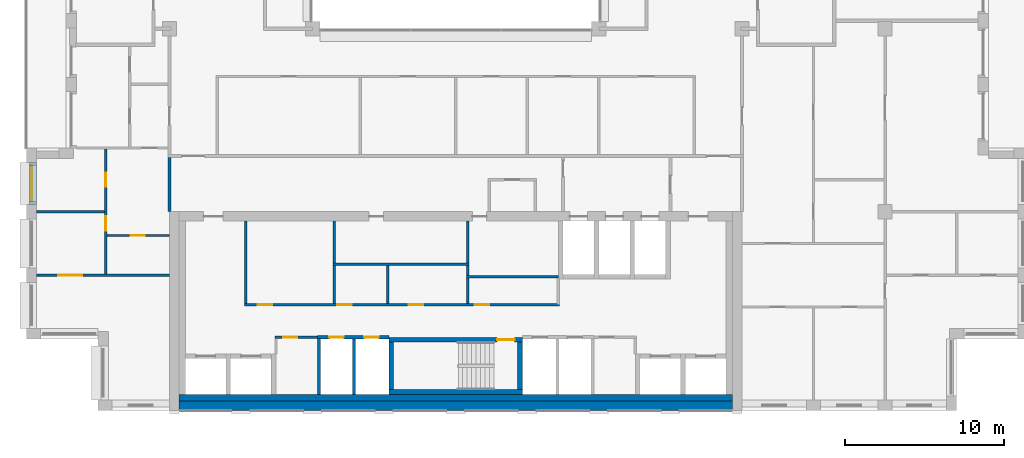
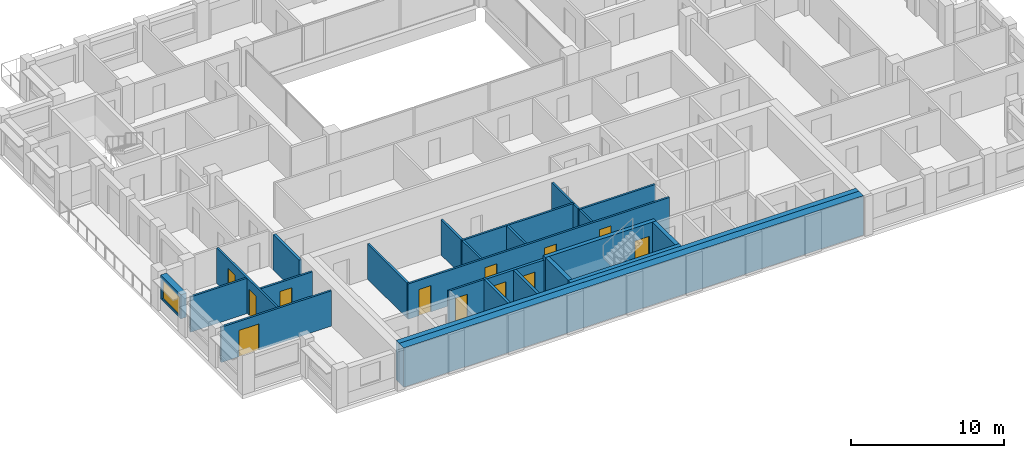
# One storey, part 8 of 15: 26 walls, 12 doors, 1 window, 13 openings.
"""IFC4 building model written with IfcOpenShell, lengths in metres."""

from ifc_helpers import new_model, si_unit, direction, frame, frame_2d, origin, place, context, subcontext, project, spatial, rectangle, extrude, material, layer, layer_set, type_object, element, fill, save


model = new_model("IFC4")

# Units and contexts
model_context = context("Model", 3, precision=1e-05, world=origin(), true_north=direction((0.0, 1.0)))
body_context = subcontext(model_context, "Body", "Model", "MODEL_VIEW")
ifc_project = project(units=[si_unit("LENGTHUNIT", "METRE"), si_unit("AREAUNIT", "SQUARE_METRE"), si_unit("VOLUMEUNIT", "CUBIC_METRE"), si_unit("PLANEANGLEUNIT", "RADIAN"), si_unit("MASSUNIT", "GRAM", prefix="KILO")], contexts=[model_context])

# Site, building, storey
site_placement = place(None, origin())
site = spatial("IfcSite", under=ifc_project, at=site_placement, CompositionType="ELEMENT")
building_placement = place(site_placement, origin())
building = spatial("IfcBuilding", under=site, at=building_placement, Name="Brigalow Station Residences", CompositionType="ELEMENT")
storey_placement = place(building_placement, frame((0.0, 0.0, 223.199951171875)))
storey = spatial("IfcBuildingStorey", under=building, at=storey_placement, Name="L64", CompositionType="ELEMENT", Elevation=223.199951171875)

# Wall, opening, window
ifc_material_1 = material(Name="Clay brick masonry", Category="masonry")
ifc_layer_1 = layer(ifc_material_1, 0.449951171875)
ifc_layer_set_1 = layer_set([ifc_layer_1], Name="BRICK INFILL WALL 450")
wall_type_1 = type_object("IfcWallType", Name="BRICK INFILL WALL 450", PredefinedType="SOLIDWALL", material=ifc_layer_set_1)
wall_1_placement = place(storey_placement, frame((9.425048828125, 15.60009765625, 0.900146484375), z_axis=(0.0, 0.0, 1.0), x_axis=(0.0, -1.0, 0.0)))
wall_1 = element("IfcWall", 1, at=wall_1_placement, inside=storey, type_object=wall_type_1, Name="L64/ewall/W-L64-41", PredefinedType="SOLIDWALL", context=body_context, shape_type="SweptSolid", body=[
    extrude(rectangle(XDim=2.650146484375, YDim=0.449951171875, at=frame_2d((1.3251953125, 0.0))), origin(), (0.0, 0.0, 1.0), 1.929931640625),
])
opening_1_placement = place(wall_1_placement, frame((0.199951171875, 0.0, 0.14990234375)))
opening_1 = element("IfcOpeningElement", 2, at=opening_1_placement, cuts=wall_1, Name="Opening WT-6", PredefinedType="OPENING", context=body_context, shape_type="SweptSolid", body=[
    extrude(rectangle(XDim=2.25, YDim=1.5, at=frame_2d((1.125, 0.75))), frame((0.0, 0.23486328125, 0.0), z_axis=(0.0, -1.0, 0.0), x_axis=(1.0, 0.0, 0.0)), (0.0, 0.0, 1.0), 0.469970703125),
])
ifc_material_2 = material(Name="Anodised aluminium frame with double glazing", Category="aluminium")
window_type = type_object("IfcWindowType", Name="WINDOW 2250x1500", PartitioningType="SINGLE_PANEL", PredefinedType="WINDOW", material=ifc_material_2)
window_placement = place(opening_1_placement, origin())
window = element("IfcWindow", 3, at=window_placement, inside=storey, type_object=window_type, Name="L64/window/W-L64-41", OverallHeight=1.5, OverallWidth=2.25, PartitioningType="SINGLE_PANEL", PredefinedType="WINDOW", context=body_context, shape_type="SweptSolid", body=[
    extrude(rectangle(XDim=2.25, YDim=1.5, at=frame_2d((1.125, 0.75))), frame((0.0, -0.06494140625, 0.0), z_axis=(0.0, -1.0, 0.0), x_axis=(1.0, 0.0, 0.0)), (0.0, 0.0, 1.0), 0.06005859375),
])
fill(opening_1, window)

# Wall
ifc_material_3 = material(Name="Concrete C50", Category="concrete")
ifc_layer_2 = layer(ifc_material_3, 0.300048828125)
ifc_layer_set_2 = layer_set([ifc_layer_2], Name="CORE SHEAR WALL 300 C50")
wall_type_2 = type_object("IfcWallType", Name="CORE SHEAR WALL 300 C50", PredefinedType="SHEAR", material=ifc_layer_set_2)
wall_2_placement = place(storey_placement, frame((31.800048828125, 1.14990234375, 0.0), z_axis=(0.0, 0.0, 1.0), x_axis=(1.0, 0.0, 0.0)))
element("IfcWall", 4, at=wall_2_placement, inside=storey, type_object=wall_type_2, Name="CORE WALL ST-S2-S L64", PredefinedType="SHEAR", context=body_context, shape_type="SweptSolid", body=[
    extrude(rectangle(XDim=8.39990234375, YDim=0.300048828125, at=frame_2d((4.199951171875, 0.0))), origin(), (0.0, 0.0, 1.0), 3.150146484375),
])

# Wall, opening, door
wall_3_placement = place(storey_placement, frame((31.800048828125, 4.449951171875, 0.0), z_axis=(0.0, 0.0, 1.0), x_axis=(1.0, 0.0, 0.0)))
wall_3 = element("IfcWall", 5, at=wall_3_placement, inside=storey, type_object=wall_type_2, Name="CORE WALL ST-S2-N L64", PredefinedType="SHEAR", context=body_context, shape_type="SweptSolid", body=[
    extrude(rectangle(XDim=8.39990234375, YDim=0.300048828125, at=frame_2d((4.199951171875, 0.0))), origin(), (0.0, 0.0, 1.0), 3.150146484375),
])
opening_2_placement = place(wall_3_placement, frame((6.800048828125, 0.0, 0.0)))
opening_2 = element("IfcOpeningElement", 6, at=opening_2_placement, cuts=wall_3, Name="Opening D-5001", PredefinedType="OPENING", context=body_context, shape_type="SweptSolid", body=[
    extrude(rectangle(XDim=1.10009765625, YDim=2.10009765625, at=frame_2d((0.550048828125, 1.050048828125))), frame((0.0, 0.16015625, 0.0), z_axis=(0.0, -1.0, 0.0), x_axis=(1.0, 0.0, 0.0)), (0.0, 0.0, 1.0), 0.320068359375),
])
ifc_material_4 = material(Name="Steel fire door leaf in steel frame", Category="steel")
door_type_1 = type_object("IfcDoorType", Name="STAIR DOOR 1100 x 2100 FD60S", OperationType="SINGLE_SWING_LEFT", PredefinedType="DOOR", material=ifc_material_4)
door_1_placement = place(opening_2_placement, frame((1.10009765625, 0.0, 0.0), z_axis=(0.0, 0.0, 1.0), x_axis=(-1.0, 0.0, 0.0)))
door_1 = element("IfcDoor", 7, at=door_1_placement, inside=storey, type_object=door_type_1, Name="D-5001", OperationType="SINGLE_SWING_LEFT", OverallHeight=2.10009765625, OverallWidth=1.10009765625, PredefinedType="DOOR", context=body_context, shape_type="SweptSolid", body=[
    extrude(rectangle(XDim=1.10009765625, YDim=2.10009765625, at=frame_2d((0.550048828125, 1.050048828125))), frame((0.0, 0.02490234375, 0.0), z_axis=(0.0, -1.0, 0.0), x_axis=(1.0, 0.0, 0.0)), (0.0, 0.0, 1.0), 0.050048828125),
])
fill(opening_2, door_1)

# Walls
for number, where, z_axis, x_axis, name in (
    (8, (31.949951171875, 1.300048828125, 0.0), (0.0, 0.0, 1.0), (0.0, 1.0, 0.0), "CORE WALL ST-S2-W L64"),
    (9, (40.050048828125, 1.300048828125, 0.0), (0.0, 0.0, 1.0), (0.0, 1.0, 0.0), "CORE WALL ST-S2-E L64"),
):
    element("IfcWall", number, at=place(storey_placement, frame(where, z_axis=z_axis, x_axis=x_axis)), inside=storey, type_object=wall_type_2, Name=name, PredefinedType="SHEAR", context=body_context, shape_type="SweptSolid", body=[
        extrude(rectangle(XDim=3.0, YDim=0.300048828125, at=frame_2d((1.5, 0.0))), origin(), (0.0, 0.0, 1.0), 3.150146484375),
    ])
ifc_material_5 = material(Name="Concrete C50", Category="concrete")
ifc_layer_3 = layer(ifc_material_5, 0.39990234375)
ifc_layer_set_3 = layer_set([ifc_layer_3], Name="CORE SHEAR WALL 400 C50")
wall_type_3 = type_object("IfcWallType", Name="CORE SHEAR WALL 400 C50", PredefinedType="SHEAR", material=ifc_layer_set_3)
wall_4_placement = place(storey_placement, frame((18.60009765625, 0.800048828125, 0.0), z_axis=(0.0, 0.0, 1.0), x_axis=(1.0, 0.0, 0.0)))
element("IfcWall", 10, at=wall_4_placement, inside=storey, type_object=wall_type_3, Name="CORE WALL LIN-S L64", PredefinedType="SHEAR", context=body_context, shape_type="SweptSolid", body=[
    extrude(rectangle(XDim=34.7998046875, YDim=0.39990234375, at=frame_2d((17.39990234375, 0.0))), origin(), (0.0, 0.0, 1.0), 3.150146484375),
])
ifc_material_6 = material(Name="Concrete C50", Category="concrete")
ifc_layer_4 = layer(ifc_material_6, 0.60009765625)
ifc_layer_set_4 = layer_set([ifc_layer_4], Name="CORE SHEAR WALL 600 C50")
wall_type_4 = type_object("IfcWallType", Name="CORE SHEAR WALL 600 C50", PredefinedType="SHEAR", material=ifc_layer_set_4)
wall_5_placement = place(storey_placement, frame((18.60009765625, 0.300048828125, 0.0), z_axis=(0.0, 0.0, 1.0), x_axis=(1.0, 0.0, 0.0)))
element("IfcWall", 11, at=wall_5_placement, inside=storey, type_object=wall_type_4, Name="CORE WALL OUT-S L64", PredefinedType="SHEAR", context=body_context, shape_type="SweptSolid", body=[
    extrude(rectangle(XDim=34.7998046875, YDim=0.60009765625, at=frame_2d((17.39990234375, 0.0))), origin(), (0.0, 0.0, 1.0), 3.150146484375),
])

# Wall, openings, doors
ifc_material_7 = material(Name="Concrete blockwork", Category="masonry")
ifc_layer_5 = layer(ifc_material_7, 0.199951171875)
ifc_layer_set_5 = layer_set([ifc_layer_5], Name="FIRE RATED CORE PARTITION 200")
wall_type_5 = type_object("IfcWallType", Name="FIRE RATED CORE PARTITION 200", PredefinedType="PARTITIONING", material=ifc_layer_set_5)
wall_6_placement = place(storey_placement, frame((27.300048828125, 4.60009765625, 0.0), z_axis=(0.0, 0.0, 1.0), x_axis=(1.0, 0.0, 0.0)))
wall_6 = element("IfcWall", 12, at=wall_6_placement, inside=storey, type_object=wall_type_5, Name="PW-5017", PredefinedType="PARTITIONING", context=body_context, shape_type="SweptSolid", body=[
    extrude(rectangle(XDim=4.5, YDim=0.199951171875, at=frame_2d((2.25, 0.0))), origin(), (0.0, 0.0, 1.0), 2.830078125),
])
opening_3_placement = place(wall_6_placement, frame((0.75, 0.0, 0.0)))
opening_3 = element("IfcOpeningElement", 13, at=opening_3_placement, cuts=wall_6, Name="Opening D-5007", PredefinedType="OPENING", context=body_context, shape_type="SweptSolid", body=[
    extrude(rectangle(XDim=0.89990234375, YDim=2.10009765625, at=frame_2d((0.449951171875, 1.050048828125))), frame((0.0, 0.10986328125, 0.0), z_axis=(0.0, -1.0, 0.0), x_axis=(1.0, 0.0, 0.0)), (0.0, 0.0, 1.0), 0.219970703125),
])
opening_4_placement = place(wall_6_placement, frame((2.949951171875, 0.0, 0.0)))
opening_4 = element("IfcOpeningElement", 14, at=opening_4_placement, cuts=wall_6, Name="Opening D-5008", PredefinedType="OPENING", context=body_context, shape_type="SweptSolid", body=[
    extrude(rectangle(XDim=0.89990234375, YDim=2.10009765625, at=frame_2d((0.449951171875, 1.050048828125))), frame((0.0, 0.10986328125, 0.0), z_axis=(0.0, -1.0, 0.0), x_axis=(1.0, 0.0, 0.0)), (0.0, 0.0, 1.0), 0.219970703125),
])
ifc_material_8 = material(Name="Steel fire door leaf in steel frame", Category="steel")
door_type_2 = type_object("IfcDoorType", Name="RISER ACCESS DOOR 900 x 2100 FD120", OperationType="SINGLE_SWING_LEFT", PredefinedType="DOOR", material=ifc_material_8)
door_2_placement = place(opening_3_placement, frame((0.89990234375, 0.0, 0.0), z_axis=(0.0, 0.0, 1.0), x_axis=(-1.0, 0.0, 0.0)))
door_2 = element("IfcDoor", 15, at=door_2_placement, inside=storey, type_object=door_type_2, Name="D-5007", OperationType="SINGLE_SWING_RIGHT", OverallHeight=2.10009765625, OverallWidth=0.89990234375, PredefinedType="DOOR", context=body_context, shape_type="SweptSolid", body=[
    extrude(rectangle(XDim=0.89990234375, YDim=2.10009765625, at=frame_2d((0.449951171875, 1.050048828125))), frame((0.0, 0.02490234375, 0.0), z_axis=(0.0, -1.0, 0.0), x_axis=(1.0, 0.0, 0.0)), (0.0, 0.0, 1.0), 0.050048828125),
])
fill(opening_3, door_2)
door_3_placement = place(opening_4_placement, frame((0.89990234375, 0.0, 0.0), z_axis=(0.0, 0.0, 1.0), x_axis=(-1.0, 0.0, 0.0)))
door_3 = element("IfcDoor", 16, at=door_3_placement, inside=storey, type_object=door_type_2, Name="D-5008", OperationType="SINGLE_SWING_RIGHT", OverallHeight=2.10009765625, OverallWidth=0.89990234375, PredefinedType="DOOR", context=body_context, shape_type="SweptSolid", body=[
    extrude(rectangle(XDim=0.89990234375, YDim=2.10009765625, at=frame_2d((0.449951171875, 1.050048828125))), frame((0.0, 0.02490234375, 0.0), z_axis=(0.0, -1.0, 0.0), x_axis=(1.0, 0.0, 0.0)), (0.0, 0.0, 1.0), 0.050048828125),
])
fill(opening_4, door_3)

# Walls
wall_7_placement = place(storey_placement, frame((27.39990234375, 1.0, 0.0), z_axis=(0.0, 0.0, 1.0), x_axis=(0.0, 1.0, 0.0)))
element("IfcWall", 17, at=wall_7_placement, inside=storey, type_object=wall_type_5, Name="PW-5027", PredefinedType="PARTITIONING", context=body_context, shape_type="SweptSolid", body=[
    extrude(rectangle(XDim=3.52490234375, YDim=0.199951171875, at=frame_2d((1.762451171875, 0.0))), origin(), (0.0, 0.0, 1.0), 2.830078125),
])
wall_8_placement = place(storey_placement, frame((29.60009765625, 1.0, 0.0), z_axis=(0.0, 0.0, 1.0), x_axis=(0.0, 1.0, 0.0)))
element("IfcWall", 18, at=wall_8_placement, inside=storey, type_object=wall_type_5, Name="PW-5006", PredefinedType="PARTITIONING", context=body_context, shape_type="SweptSolid", body=[
    extrude(rectangle(XDim=3.5, YDim=0.199951171875, at=frame_2d((1.75, 0.0))), origin(), (0.0, 0.0, 1.0), 2.830078125),
])
wall_9_placement = place(storey_placement, frame((18.0, 12.5, 0.0), z_axis=(0.0, 0.0, 1.0), x_axis=(0.0, 1.0, 0.0)))
element("IfcWall", 19, at=wall_9_placement, inside=storey, type_object=wall_type_5, Name="PW-5013", PredefinedType="PARTITIONING", context=body_context, shape_type="SweptSolid", body=[
    extrude(rectangle(XDim=3.39990234375, YDim=0.199951171875, at=frame_2d((1.699951171875, 0.0))), origin(), (0.0, 0.0, 1.0), 2.830078125),
])

# Wall, opening, door
ifc_material_9 = material(Name="Plasterboard on steel stud partition", Category="steel")
ifc_layer_6 = layer(ifc_material_9, 0.14990234375)
ifc_layer_set_6 = layer_set([ifc_layer_6], Name="FLAT PARTITION 150")
wall_type_6 = type_object("IfcWallType", Name="FLAT PARTITION 150", PredefinedType="PARTITIONING", material=ifc_layer_set_6)
wall_10_placement = place(storey_placement, frame((14.074951171875, 11.0, 0.0), z_axis=(0.0, 0.0, 1.0), x_axis=(1.0, 0.0, 0.0)))
wall_10 = element("IfcWall", 20, at=wall_10_placement, inside=storey, type_object=wall_type_6, Name="PW-4D10", PredefinedType="PARTITIONING", context=body_context, shape_type="SweptSolid", body=[
    extrude(rectangle(XDim=3.925048828125, YDim=0.14990234375, at=frame_2d((1.96240234375, 0.0))), origin(), (0.0, 0.0, 1.0), 2.830078125),
])
opening_5_placement = place(wall_10_placement, frame((1.47509765625, 0.0, 0.0)))
opening_5 = element("IfcOpeningElement", 21, at=opening_5_placement, cuts=wall_10, Name="Opening D-4D10", PredefinedType="OPENING", context=body_context, shape_type="SweptSolid", body=[
    extrude(rectangle(XDim=0.89990234375, YDim=2.10009765625, at=frame_2d((0.449951171875, 1.050048828125))), frame((0.0, 0.0849609375, 0.0), z_axis=(0.0, -1.0, 0.0), x_axis=(1.0, 0.0, 0.0)), (0.0, 0.0, 1.0), 0.169921875),
])
ifc_material_10 = material(Name="Solid-core timber door leaf", Category="wood")
door_type_3 = type_object("IfcDoorType", Name="INTERNAL DOOR 900 x 2100", OperationType="SINGLE_SWING_LEFT", PredefinedType="DOOR", material=ifc_material_10)
door_4_placement = place(opening_5_placement, frame((0.89990234375, 0.0, 0.0), z_axis=(0.0, 0.0, 1.0), x_axis=(-1.0, 0.0, 0.0)))
door_4 = element("IfcDoor", 22, at=door_4_placement, inside=storey, type_object=door_type_3, Name="D-4D10", OperationType="SINGLE_SWING_RIGHT", OverallHeight=2.10009765625, OverallWidth=0.89990234375, PredefinedType="DOOR", context=body_context, shape_type="SweptSolid", body=[
    extrude(rectangle(XDim=0.89990234375, YDim=2.10009765625, at=frame_2d((0.449951171875, 1.050048828125))), frame((0.0, 0.02490234375, 0.0), z_axis=(0.0, -1.0, 0.0), x_axis=(1.0, 0.0, 0.0)), (0.0, 0.0, 1.0), 0.050048828125),
])
fill(opening_5, door_4)

wall_11_placement = place(storey_placement, frame((9.64990234375, 8.5, 0.0), z_axis=(0.0, 0.0, 1.0), x_axis=(1.0, 0.0, 0.0)))
wall_11 = element("IfcWall", 23, at=wall_11_placement, inside=storey, type_object=wall_type_6, Name="PW-4D11", PredefinedType="PARTITIONING", context=body_context, shape_type="SweptSolid", body=[
    extrude(rectangle(XDim=8.35009765625, YDim=0.14990234375, at=frame_2d((4.175048828125, 0.0))), origin(), (0.0, 0.0, 1.0), 2.830078125),
])
opening_6_placement = place(wall_11_placement, frame((1.35009765625, 0.0, 0.0)))
opening_6 = element("IfcOpeningElement", 24, at=opening_6_placement, cuts=wall_11, Name="Opening D-4D09", PredefinedType="OPENING", context=body_context, shape_type="SweptSolid", body=[
    extrude(rectangle(XDim=1.5, YDim=2.10009765625, at=frame_2d((0.75, 1.050048828125))), frame((0.0, 0.0849609375, 0.0), z_axis=(0.0, -1.0, 0.0), x_axis=(1.0, 0.0, 0.0)), (0.0, 0.0, 1.0), 0.169921875),
])
ifc_material_11 = material(Name="Solid-core timber door leaf", Category="wood")
door_type_4 = type_object("IfcDoorType", Name="INTERNAL DOUBLE DOOR 1500 x 2100", OperationType="DOUBLE_DOOR_SINGLE_SWING", PredefinedType="DOOR", material=ifc_material_11)
door_5_placement = place(opening_6_placement, origin())
door_5 = element("IfcDoor", 25, at=door_5_placement, inside=storey, type_object=door_type_4, Name="D-4D09", OperationType="DOUBLE_DOOR_SINGLE_SWING", OverallHeight=2.10009765625, OverallWidth=1.5, PredefinedType="DOOR", context=body_context, shape_type="SweptSolid", body=[
    extrude(rectangle(XDim=1.5, YDim=2.10009765625, at=frame_2d((0.75, 1.050048828125))), frame((0.0, 0.02490234375, 0.0), z_axis=(0.0, -1.0, 0.0), x_axis=(1.0, 0.0, 0.0)), (0.0, 0.0, 1.0), 0.050048828125),
])
fill(opening_6, door_5)

# Wall
wall_12_placement = place(storey_placement, frame((9.64990234375, 12.5, 0.0), z_axis=(0.0, 0.0, 1.0), x_axis=(1.0, 0.0, 0.0)))
element("IfcWall", 26, at=wall_12_placement, inside=storey, type_object=wall_type_6, Name="PW-4D13", PredefinedType="PARTITIONING", context=body_context, shape_type="SweptSolid", body=[
    extrude(rectangle(XDim=4.275146484375, YDim=0.14990234375, at=frame_2d((2.1376953125, 0.0))), origin(), (0.0, 0.0, 1.0), 2.830078125),
])

# Wall, openings, doors
wall_13_placement = place(storey_placement, frame((14.0, 8.574951171875, 0.0), z_axis=(0.0, 0.0, 1.0), x_axis=(0.0, 1.0, 0.0)))
wall_13 = element("IfcWall", 27, at=wall_13_placement, inside=storey, type_object=wall_type_6, Name="PW-4D39", PredefinedType="PARTITIONING", context=body_context, shape_type="SweptSolid", body=[
    extrude(rectangle(XDim=7.85009765625, YDim=0.14990234375, at=frame_2d((3.925048828125, 0.0))), origin(), (0.0, 0.0, 1.0), 2.830078125),
])
opening_7_placement = place(wall_13_placement, frame((2.72509765625, 0.0, 0.0)))
opening_7 = element("IfcOpeningElement", 28, at=opening_7_placement, cuts=wall_13, Name="Opening D-4D07", PredefinedType="OPENING", context=body_context, shape_type="SweptSolid", body=[
    extrude(rectangle(XDim=0.89990234375, YDim=2.10009765625, at=frame_2d((0.449951171875, 1.050048828125))), frame((0.0, 0.0849609375, 0.0), z_axis=(0.0, -1.0, 0.0), x_axis=(1.0, 0.0, 0.0)), (0.0, 0.0, 1.0), 0.169921875),
])
opening_8_placement = place(wall_13_placement, frame((5.47509765625, 0.0, 0.0)))
opening_8 = element("IfcOpeningElement", 29, at=opening_8_placement, cuts=wall_13, Name="Opening D-4D08", PredefinedType="OPENING", context=body_context, shape_type="SweptSolid", body=[
    extrude(rectangle(XDim=0.89990234375, YDim=2.10009765625, at=frame_2d((0.449951171875, 1.050048828125))), frame((0.0, 0.0849609375, 0.0), z_axis=(0.0, -1.0, 0.0), x_axis=(1.0, 0.0, 0.0)), (0.0, 0.0, 1.0), 0.169921875),
])
door_6_placement = place(opening_7_placement, origin())
door_6 = element("IfcDoor", 30, at=door_6_placement, inside=storey, type_object=door_type_3, Name="D-4D07", OperationType="SINGLE_SWING_RIGHT", OverallHeight=2.10009765625, OverallWidth=0.89990234375, PredefinedType="DOOR", context=body_context, shape_type="SweptSolid", body=[
    extrude(rectangle(XDim=0.89990234375, YDim=2.10009765625, at=frame_2d((0.449951171875, 1.050048828125))), frame((0.0, 0.02490234375, 0.0), z_axis=(0.0, -1.0, 0.0), x_axis=(1.0, 0.0, 0.0)), (0.0, 0.0, 1.0), 0.050048828125),
])
fill(opening_7, door_6)
door_7_placement = place(opening_8_placement, origin())
door_7 = element("IfcDoor", 31, at=door_7_placement, inside=storey, type_object=door_type_3, Name="D-4D08", OperationType="SINGLE_SWING_RIGHT", OverallHeight=2.10009765625, OverallWidth=0.89990234375, PredefinedType="DOOR", context=body_context, shape_type="SweptSolid", body=[
    extrude(rectangle(XDim=0.89990234375, YDim=2.10009765625, at=frame_2d((0.449951171875, 1.050048828125))), frame((0.0, 0.02490234375, 0.0), z_axis=(0.0, -1.0, 0.0), x_axis=(1.0, 0.0, 0.0)), (0.0, 0.0, 1.0), 0.050048828125),
])
fill(opening_8, door_7)

# Wall, opening, door
ifc_material_12 = material(Name="Plasterboard on steel studs", Category="steel")
ifc_layer_7 = layer(ifc_material_12, 0.14990234375)
ifc_layer_set_7 = layer_set([ifc_layer_7], Name="SERVICE ROOM PARTITION 150")
wall_type_7 = type_object("IfcWallType", Name="SERVICE ROOM PARTITION 150", PredefinedType="PARTITIONING", material=ifc_layer_set_7)
wall_14_placement = place(storey_placement, frame((24.625, 4.60009765625, 0.0), z_axis=(0.0, 0.0, 1.0), x_axis=(1.0, 0.0, 0.0)))
wall_14 = element("IfcWall", 32, at=wall_14_placement, inside=storey, type_object=wall_type_7, Name="PW-5155", PredefinedType="PARTITIONING", context=body_context, shape_type="SweptSolid", body=[
    extrude(rectangle(XDim=2.675048828125, YDim=0.14990234375, at=frame_2d((1.33740234375, 0.0))), origin(), (0.0, 0.0, 1.0), 2.830078125),
])
opening_9_placement = place(wall_14_placement, frame((0.52490234375, 0.0, 0.0)))
opening_9 = element("IfcOpeningElement", 33, at=opening_9_placement, cuts=wall_14, Name="Opening D-5087", PredefinedType="OPENING", context=body_context, shape_type="SweptSolid", body=[
    extrude(rectangle(XDim=0.89990234375, YDim=2.10009765625, at=frame_2d((0.449951171875, 1.050048828125))), frame((0.0, 0.0849609375, 0.0), z_axis=(0.0, -1.0, 0.0), x_axis=(1.0, 0.0, 0.0)), (0.0, 0.0, 1.0), 0.169921875),
])
ifc_material_13 = material(Name="Steel door leaf in steel frame", Category="steel")
door_type_5 = type_object("IfcDoorType", Name="SERVICE ROOM DOOR 900 x 2100 FD60", OperationType="SINGLE_SWING_LEFT", PredefinedType="DOOR", material=ifc_material_13)
door_8_placement = place(opening_9_placement, frame((0.89990234375, 0.0, 0.0), z_axis=(0.0, 0.0, 1.0), x_axis=(-1.0, 0.0, 0.0)))
door_8 = element("IfcDoor", 34, at=door_8_placement, inside=storey, type_object=door_type_5, Name="D-5087", OperationType="SINGLE_SWING_RIGHT", OverallHeight=2.10009765625, OverallWidth=0.89990234375, PredefinedType="DOOR", context=body_context, shape_type="SweptSolid", body=[
    extrude(rectangle(XDim=0.89990234375, YDim=2.10009765625, at=frame_2d((0.449951171875, 1.050048828125))), frame((0.0, 0.02490234375, 0.0), z_axis=(0.0, -1.0, 0.0), x_axis=(1.0, 0.0, 0.0)), (0.0, 0.0, 1.0), 0.050048828125),
])
fill(opening_9, door_8)

# Wall, openings, doors
wall_15_placement = place(storey_placement, frame((22.72509765625, 6.64990234375, 0.0), z_axis=(0.0, 0.0, 1.0), x_axis=(1.0, 0.0, 0.0)))
wall_15 = element("IfcWall", 35, at=wall_15_placement, inside=storey, type_object=wall_type_7, Name="PW-5195", PredefinedType="PARTITIONING", context=body_context, shape_type="SweptSolid", body=[
    extrude(rectangle(XDim=19.7998046875, YDim=0.14990234375, at=frame_2d((9.89990234375, 0.0))), origin(), (0.0, 0.0, 1.0), 2.830078125),
])
opening_10_placement = place(wall_15_placement, frame((0.824951171875, 0.0, 0.0)))
opening_10 = element("IfcOpeningElement", 36, at=opening_10_placement, cuts=wall_15, Name="Opening D-5110", PredefinedType="OPENING", context=body_context, shape_type="SweptSolid", body=[
    extrude(rectangle(XDim=0.89990234375, YDim=2.10009765625, at=frame_2d((0.449951171875, 1.050048828125))), frame((0.0, 0.0849609375, 0.0), z_axis=(0.0, -1.0, 0.0), x_axis=(1.0, 0.0, 0.0)), (0.0, 0.0, 1.0), 0.169921875),
])
opening_11_placement = place(wall_15_placement, frame((5.824951171875, 0.0, 0.0)))
opening_11 = element("IfcOpeningElement", 37, at=opening_11_placement, cuts=wall_15, Name="Opening D-5111", PredefinedType="OPENING", context=body_context, shape_type="SweptSolid", body=[
    extrude(rectangle(XDim=0.89990234375, YDim=2.10009765625, at=frame_2d((0.449951171875, 1.050048828125))), frame((0.0, 0.0849609375, 0.0), z_axis=(0.0, -1.0, 0.0), x_axis=(1.0, 0.0, 0.0)), (0.0, 0.0, 1.0), 0.169921875),
])
opening_12_placement = place(wall_15_placement, frame((10.324951171875, 0.0, 0.0)))
opening_12 = element("IfcOpeningElement", 38, at=opening_12_placement, cuts=wall_15, Name="Opening D-5112", PredefinedType="OPENING", context=body_context, shape_type="SweptSolid", body=[
    extrude(rectangle(XDim=0.89990234375, YDim=2.10009765625, at=frame_2d((0.449951171875, 1.050048828125))), frame((0.0, 0.0849609375, 0.0), z_axis=(0.0, -1.0, 0.0), x_axis=(1.0, 0.0, 0.0)), (0.0, 0.0, 1.0), 0.169921875),
])
opening_13_placement = place(wall_15_placement, frame((14.47509765625, 0.0, 0.0)))
opening_13 = element("IfcOpeningElement", 39, at=opening_13_placement, cuts=wall_15, Name="Opening D-5114", PredefinedType="OPENING", context=body_context, shape_type="SweptSolid", body=[
    extrude(rectangle(XDim=0.89990234375, YDim=2.10009765625, at=frame_2d((0.449951171875, 1.050048828125))), frame((0.0, 0.0849609375, 0.0), z_axis=(0.0, -1.0, 0.0), x_axis=(1.0, 0.0, 0.0)), (0.0, 0.0, 1.0), 0.169921875),
])
door_9_placement = place(opening_10_placement, origin())
door_9 = element("IfcDoor", 40, at=door_9_placement, inside=storey, type_object=door_type_5, Name="D-5110", OperationType="SINGLE_SWING_LEFT", OverallHeight=2.10009765625, OverallWidth=0.89990234375, PredefinedType="DOOR", context=body_context, shape_type="SweptSolid", body=[
    extrude(rectangle(XDim=0.89990234375, YDim=2.10009765625, at=frame_2d((0.449951171875, 1.050048828125))), frame((0.0, 0.02490234375, 0.0), z_axis=(0.0, -1.0, 0.0), x_axis=(1.0, 0.0, 0.0)), (0.0, 0.0, 1.0), 0.050048828125),
])
fill(opening_10, door_9)
door_10_placement = place(opening_11_placement, origin())
door_10 = element("IfcDoor", 41, at=door_10_placement, inside=storey, type_object=door_type_5, Name="D-5111", OperationType="SINGLE_SWING_LEFT", OverallHeight=2.10009765625, OverallWidth=0.89990234375, PredefinedType="DOOR", context=body_context, shape_type="SweptSolid", body=[
    extrude(rectangle(XDim=0.89990234375, YDim=2.10009765625, at=frame_2d((0.449951171875, 1.050048828125))), frame((0.0, 0.02490234375, 0.0), z_axis=(0.0, -1.0, 0.0), x_axis=(1.0, 0.0, 0.0)), (0.0, 0.0, 1.0), 0.050048828125),
])
fill(opening_11, door_10)
door_11_placement = place(opening_12_placement, origin())
door_11 = element("IfcDoor", 42, at=door_11_placement, inside=storey, type_object=door_type_5, Name="D-5112", OperationType="SINGLE_SWING_LEFT", OverallHeight=2.10009765625, OverallWidth=0.89990234375, PredefinedType="DOOR", context=body_context, shape_type="SweptSolid", body=[
    extrude(rectangle(XDim=0.89990234375, YDim=2.10009765625, at=frame_2d((0.449951171875, 1.050048828125))), frame((0.0, 0.02490234375, 0.0), z_axis=(0.0, -1.0, 0.0), x_axis=(1.0, 0.0, 0.0)), (0.0, 0.0, 1.0), 0.050048828125),
])
fill(opening_12, door_11)
door_12_placement = place(opening_13_placement, origin())
door_12 = element("IfcDoor", 43, at=door_12_placement, inside=storey, type_object=door_type_5, Name="D-5114", OperationType="SINGLE_SWING_LEFT", OverallHeight=2.10009765625, OverallWidth=0.89990234375, PredefinedType="DOOR", context=body_context, shape_type="SweptSolid", body=[
    extrude(rectangle(XDim=0.89990234375, YDim=2.10009765625, at=frame_2d((0.449951171875, 1.050048828125))), frame((0.0, 0.02490234375, 0.0), z_axis=(0.0, -1.0, 0.0), x_axis=(1.0, 0.0, 0.0)), (0.0, 0.0, 1.0), 0.050048828125),
])
fill(opening_13, door_12)

# Walls
wall_16_placement = place(storey_placement, frame((36.675048828125, 8.39990234375, 0.0), z_axis=(0.0, 0.0, 1.0), x_axis=(1.0, 0.0, 0.0)))
element("IfcWall", 44, at=wall_16_placement, inside=storey, type_object=wall_type_7, Name="PW-5204", PredefinedType="PARTITIONING", context=body_context, shape_type="SweptSolid", body=[
    extrude(rectangle(XDim=5.77490234375, YDim=0.14990234375, at=frame_2d((2.887451171875, 0.0))), origin(), (0.0, 0.0, 1.0), 2.830078125),
])
wall_17_placement = place(storey_placement, frame((28.27490234375, 9.18994140625, 0.0), z_axis=(0.0, 0.0, 1.0), x_axis=(1.0, 0.0, 0.0)))
element("IfcWall", 45, at=wall_17_placement, inside=storey, type_object=wall_type_7, Name="PW-5230", PredefinedType="PARTITIONING", context=body_context, shape_type="SweptSolid", body=[
    extrude(rectangle(XDim=8.550048828125, YDim=0.14990234375, at=frame_2d((4.27490234375, 0.0))), origin(), (0.0, 0.0, 1.0), 2.830078125),
])
wall_18_placement = place(storey_placement, frame((22.800048828125, 6.72509765625, 0.0), z_axis=(0.0, 0.0, 1.0), x_axis=(0.0, 1.0, 0.0)))
element("IfcWall", 46, at=wall_18_placement, inside=storey, type_object=wall_type_7, Name="PW-5197", PredefinedType="PARTITIONING", context=body_context, shape_type="SweptSolid", body=[
    extrude(rectangle(XDim=5.1748046875, YDim=0.14990234375, at=frame_2d((2.58740234375, 0.0))), origin(), (0.0, 0.0, 1.0), 2.830078125),
])
for number, where, z_axis, x_axis, name in (
    (47, (28.35009765625, 6.72509765625, 0.0), (0.0, 0.0, 1.0), (0.0, 1.0, 0.0), "PW-5231"),
    (48, (31.72998046875, 6.72509765625, 0.0), (0.0, 0.0, 1.0), (0.0, 1.0, 0.0), "PW-5232"),
):
    element("IfcWall", number, at=place(storey_placement, frame(where, z_axis=z_axis, x_axis=x_axis)), inside=storey, type_object=wall_type_7, Name=name, PredefinedType="PARTITIONING", context=body_context, shape_type="SweptSolid", body=[
        extrude(rectangle(XDim=2.389892578125, YDim=0.14990234375, at=frame_2d((1.19482421875, 0.0))), origin(), (0.0, 0.0, 1.0), 2.830078125),
    ])
wall_19_placement = place(storey_placement, frame((36.75, 6.72509765625, 0.0), z_axis=(0.0, 0.0, 1.0), x_axis=(0.0, 1.0, 0.0)))
element("IfcWall", 49, at=wall_19_placement, inside=storey, type_object=wall_type_7, Name="PW-5210", PredefinedType="PARTITIONING", context=body_context, shape_type="SweptSolid", body=[
    extrude(rectangle(XDim=1.599853515625, YDim=0.14990234375, at=frame_2d((0.7998046875, 0.0))), origin(), (0.0, 0.0, 1.0), 2.830078125),
])
wall_20_placement = place(storey_placement, frame((36.75, 8.47509765625, 0.0), z_axis=(0.0, 0.0, 1.0), x_axis=(0.0, 1.0, 0.0)))
element("IfcWall", 50, at=wall_20_placement, inside=storey, type_object=wall_type_7, Name="PW-5233", PredefinedType="PARTITIONING", context=body_context, shape_type="SweptSolid", body=[
    extrude(rectangle(XDim=0.639892578125, YDim=0.14990234375, at=frame_2d((0.31982421875, 0.0))), origin(), (0.0, 0.0, 1.0), 2.830078125),
])
for number, where, z_axis, x_axis, name in (
    (51, (28.35009765625, 9.264892578125, 0.0), (0.0, 0.0, 1.0), (0.0, 1.0, 0.0), "PW-5234"),
    (52, (36.75, 9.264892578125, 0.0), (0.0, 0.0, 1.0), (0.0, 1.0, 0.0), "PW-5235"),
):
    element("IfcWall", number, at=place(storey_placement, frame(where, z_axis=z_axis, x_axis=x_axis)), inside=storey, type_object=wall_type_7, Name=name, PredefinedType="PARTITIONING", context=body_context, shape_type="SweptSolid", body=[
        extrude(rectangle(XDim=2.635009765625, YDim=0.14990234375, at=frame_2d((1.3173828125, 0.0))), origin(), (0.0, 0.0, 1.0), 2.830078125),
    ])

save(model, "model.ifc")
